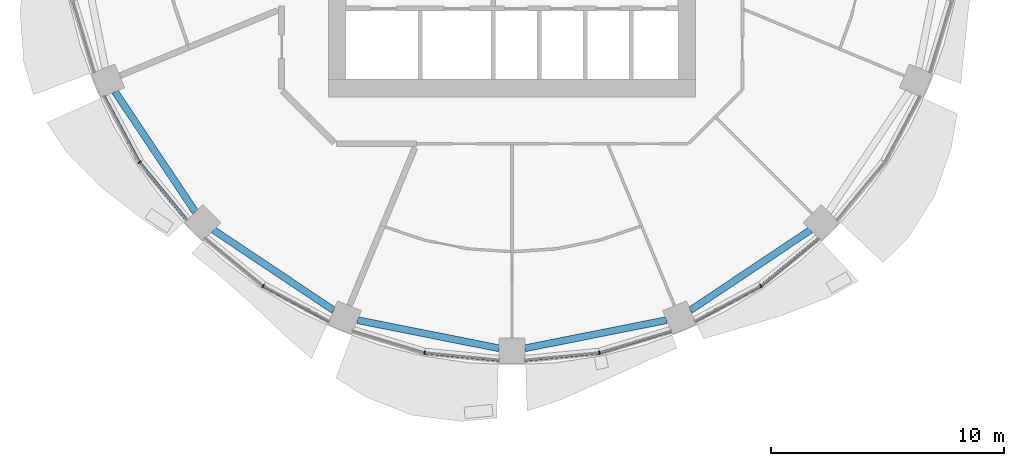
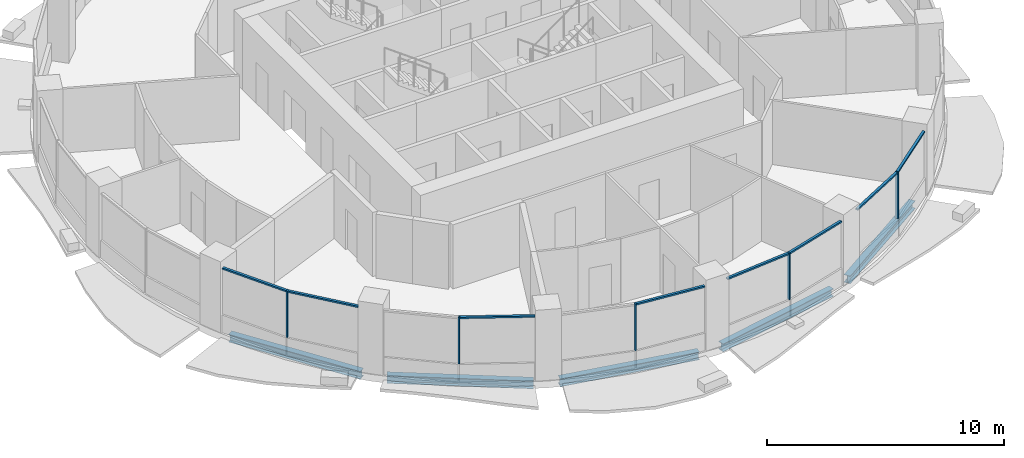
# One storey, part 2 of 14: 13 members, 5 beams, 5 elements without a shape of their own.
"""IFC4 building model written with IfcOpenShell, lengths in metres."""

from ifc_helpers import new_model, si_unit, direction, frame, origin, origin_2d, place, context, subcontext, project, spatial, rectangle, i_section, extrude, material, material_profile, profile_set, type_object, element, aggregate, save


model = new_model("IFC4")

# Units and contexts
model_context = context("Model", 3, precision=1e-05, world=origin(), true_north=direction((0.0, 1.0)))
body_context = subcontext(model_context, "Body", "Model", "MODEL_VIEW")
ifc_project = project(units=[si_unit("LENGTHUNIT", "METRE"), si_unit("AREAUNIT", "SQUARE_METRE"), si_unit("VOLUMEUNIT", "CUBIC_METRE"), si_unit("PLANEANGLEUNIT", "RADIAN"), si_unit("MASSUNIT", "GRAM", prefix="KILO")], contexts=[model_context])

# Site, building, storey
site_placement = place(None, origin())
site = spatial("IfcSite", under=ifc_project, at=site_placement, CompositionType="ELEMENT")
building_placement = place(site_placement, origin())
building = spatial("IfcBuilding", under=site, at=building_placement, Name="Polderwave Tower", CompositionType="ELEMENT")
storey_placement = place(building_placement, frame((0.0, 0.0, 91.0)))
storey = spatial("IfcBuildingStorey", under=building, at=storey_placement, Name="L23", CompositionType="ELEMENT", Elevation=91.0)

# Curtain wall, member
ifc_material_1 = material(Name="Aluminium 6063-T6 and glass", Category="aluminium")
curtain_wall_type = type_object("IfcCurtainWallType", Name="Growing floor ribbon glazing wall", PredefinedType="NOTDEFINED", material=ifc_material_1)
curtain_wall_1_placement = place(storey_placement, origin())
curtain_wall_1 = element("IfcCurtainWall", 1, at=curtain_wall_1_placement, inside=storey, type_object=curtain_wall_type, Name="CW2 L23 09", PredefinedType="NOTDEFINED")
ifc_material_2 = material(Name="Aluminium 6063-T6", Category="aluminium")
ifc_material_profile_1 = material_profile(ifc_material_2, rectangle(XDim=0.14990234375, YDim=0.06005859375, at=origin_2d()), Name="AL 60x150")
ifc_profile_set_1 = profile_set([ifc_material_profile_1], Name="Aluminium 6063-T6")
member_type_1 = type_object("IfcMemberType", Name="Growing floor ribbon glazing mullion 60x150", PredefinedType="MULLION", material=ifc_profile_set_1)
member_1_placement = place(storey_placement, frame((-15.964111328125, -10.6669921875, 0.89990234375), z_axis=(0.0, 0.0, 1.0), x_axis=(0.831444400469, 0.555607963342, 0.0)))
member_1 = element("IfcMember", 2, at=member_1_placement, type_object=member_type_1, Name="CW2 mullion 1", PredefinedType="MULLION", context=body_context, shape_type="SweptSolid", body=[
    extrude(rectangle(XDim=0.14990234375, YDim=0.06005859375, at=origin_2d()), origin(), (0.0, 0.0, 1.0), 2.400146484375),
])

curtain_wall_2_placement = place(storey_placement, origin())
curtain_wall_2 = element("IfcCurtainWall", 3, at=curtain_wall_2_placement, inside=storey, type_object=curtain_wall_type, Name="CW2 L23 10", PredefinedType="NOTDEFINED")
member_2_placement = place(storey_placement, frame((-10.6669921875, -15.964111328125, 0.89990234375), z_axis=(0.0, 0.0, 1.0), x_axis=(0.555607963342, 0.831444400469, 0.0)))
member_2 = element("IfcMember", 4, at=member_2_placement, type_object=member_type_1, Name="CW2 mullion 1", PredefinedType="MULLION", context=body_context, shape_type="SweptSolid", body=[
    extrude(rectangle(XDim=0.14990234375, YDim=0.06005859375, at=origin_2d()), origin(), (0.0, 0.0, 1.0), 2.400146484375),
])

curtain_wall_3_placement = place(storey_placement, origin())
curtain_wall_3 = element("IfcCurtainWall", 5, at=curtain_wall_3_placement, inside=storey, type_object=curtain_wall_type, Name="CW2 L23 11", PredefinedType="NOTDEFINED")
member_3_placement = place(storey_placement, frame((-3.74609375, -18.8310546875, 0.89990234375), z_axis=(0.0, 0.0, 1.0), x_axis=(0.195097169184, 0.980783918392, 0.0)))
member_3 = element("IfcMember", 6, at=member_3_placement, type_object=member_type_1, Name="CW2 mullion 1", PredefinedType="MULLION", context=body_context, shape_type="SweptSolid", body=[
    extrude(rectangle(XDim=0.14990234375, YDim=0.06005859375, at=origin_2d()), origin(), (0.0, 0.0, 1.0), 2.400146484375),
])

curtain_wall_4_placement = place(storey_placement, origin())
curtain_wall_4 = element("IfcCurtainWall", 7, at=curtain_wall_4_placement, inside=storey, type_object=curtain_wall_type, Name="CW2 L23 12", PredefinedType="NOTDEFINED")
member_4_placement = place(storey_placement, frame((3.74609375, -18.8310546875, 0.89990234375), z_axis=(0.0, 0.0, 1.0), x_axis=(-0.195097169184, 0.980783918392, 0.0)))
member_4 = element("IfcMember", 8, at=member_4_placement, type_object=member_type_1, Name="CW2 mullion 1", PredefinedType="MULLION", context=body_context, shape_type="SweptSolid", body=[
    extrude(rectangle(XDim=0.14990234375, YDim=0.06005859375, at=origin_2d()), origin(), (0.0, 0.0, 1.0), 2.400146484375),
])

curtain_wall_5_placement = place(storey_placement, origin())
curtain_wall_5 = element("IfcCurtainWall", 9, at=curtain_wall_5_placement, inside=storey, type_object=curtain_wall_type, Name="CW2 L23 13", PredefinedType="NOTDEFINED")
member_5_placement = place(storey_placement, frame((10.6669921875, -15.964111328125, 0.89990234375), z_axis=(0.0, 0.0, 1.0), x_axis=(-0.555607963342, 0.831444400469, 0.0)))
member_5 = element("IfcMember", 10, at=member_5_placement, type_object=member_type_1, Name="CW2 mullion 1", PredefinedType="MULLION", context=body_context, shape_type="SweptSolid", body=[
    extrude(rectangle(XDim=0.14990234375, YDim=0.06005859375, at=origin_2d()), origin(), (0.0, 0.0, 1.0), 2.400146484375),
])

# Member
ifc_material_profile_2 = material_profile(ifc_material_2, rectangle(XDim=0.1201171875, YDim=0.080078125, at=origin_2d()), Name="AL 80x120")
ifc_profile_set_2 = profile_set([ifc_material_profile_2], Name="Aluminium 6063-T6")
member_type_2 = type_object("IfcMemberType", Name="Growing floor ribbon glazing transom 80x120", PredefinedType="USERDEFINED", material=ifc_profile_set_2)
member_6_placement = place(storey_placement, frame((-17.47802734375, -7.8349609375, 3.260009765625), z_axis=(0.471512085827, -0.881859599323, 0.0), x_axis=(0.881859599323, 0.471512085827, 0.0)))
member_6 = element("IfcMember", 11, at=member_6_placement, type_object=member_type_2, Name="CW2 transom 1", ObjectType="TRANSOM", PredefinedType="USERDEFINED", context=body_context, shape_type="SweptSolid", body=[
    extrude(rectangle(XDim=0.1201171875, YDim=0.080078125, at=origin_2d()), origin(), (0.0, 0.0, 1.0), 3.18115234375),
])

member_7_placement = place(storey_placement, frame((-15.945068359375, -10.690185546875, 3.260009765625), z_axis=(0.634436573251, -0.772974924898, 0.0), x_axis=(0.772974924898, 0.634436573251, 0.0)))
member_7 = element("IfcMember", 12, at=member_7_placement, type_object=member_type_2, Name="CW2 transom 2", ObjectType="TRANSOM", PredefinedType="USERDEFINED", context=body_context, shape_type="SweptSolid", body=[
    extrude(rectangle(XDim=0.1201171875, YDim=0.080078125, at=origin_2d()), origin(), (0.0, 0.0, 1.0), 3.180908203125),
])

aggregate(curtain_wall_1, [member_1, member_6, member_7])

member_8_placement = place(storey_placement, frame((-10.640380859375, -15.97802734375, 3.260009765625), z_axis=(0.881859599323, -0.471512085827, 0.0), x_axis=(0.471512085827, 0.881859599323, 0.0)))
member_8 = element("IfcMember", 13, at=member_8_placement, type_object=member_type_2, Name="CW2 transom 2", ObjectType="TRANSOM", PredefinedType="USERDEFINED", context=body_context, shape_type="SweptSolid", body=[
    extrude(rectangle(XDim=0.1201171875, YDim=0.080078125, at=origin_2d()), origin(), (0.0, 0.0, 1.0), 3.18115234375),
])

aggregate(curtain_wall_2, [member_2, member_8])

member_9_placement = place(storey_placement, frame((-3.716064453125, -18.833984375, 3.260009765625), z_axis=(0.995179009769, -0.098075167681, 0.0), x_axis=(0.098075167681, 0.995179009769, 0.0)))
member_9 = element("IfcMember", 14, at=member_9_placement, type_object=member_type_2, Name="CW2 transom 2", ObjectType="TRANSOM", PredefinedType="USERDEFINED", context=body_context, shape_type="SweptSolid", body=[
    extrude(rectangle(XDim=0.1201171875, YDim=0.080078125, at=origin_2d()), origin(), (0.0, 0.0, 1.0), 3.181396484375),
])

aggregate(curtain_wall_3, [member_3, member_9])

member_10_placement = place(storey_placement, frame((0.550048828125, -19.14599609375, 3.260009765625), z_axis=(0.995179009769, 0.098075167681, 0.0), x_axis=(-0.098075167681, 0.995179009769, 0.0)))
member_10 = element("IfcMember", 15, at=member_10_placement, type_object=member_type_2, Name="CW2 transom 1", ObjectType="TRANSOM", PredefinedType="USERDEFINED", context=body_context, shape_type="SweptSolid", body=[
    extrude(rectangle(XDim=0.1201171875, YDim=0.080078125, at=origin_2d()), origin(), (0.0, 0.0, 1.0), 3.181396484375),
])

member_11_placement = place(storey_placement, frame((3.774658203125, -18.822265625, 3.260009765625), z_axis=(0.95695596309, 0.290233155766, 0.0), x_axis=(-0.290233155766, 0.95695596309, 0.0)))
member_11 = element("IfcMember", 16, at=member_11_placement, type_object=member_type_2, Name="CW2 transom 2", ObjectType="TRANSOM", PredefinedType="USERDEFINED", context=body_context, shape_type="SweptSolid", body=[
    extrude(rectangle(XDim=0.1201171875, YDim=0.080078125, at=origin_2d()), origin(), (0.0, 0.0, 1.0), 3.181396484375),
])

aggregate(curtain_wall_4, [member_4, member_10, member_11])

member_12_placement = place(storey_placement, frame((7.8349609375, -17.47802734375, 3.260009765625), z_axis=(0.881859599323, 0.471512085827, 0.0), x_axis=(-0.471512085827, 0.881859599323, 0.0)))
member_12 = element("IfcMember", 17, at=member_12_placement, type_object=member_type_2, Name="CW2 transom 1", ObjectType="TRANSOM", PredefinedType="USERDEFINED", context=body_context, shape_type="SweptSolid", body=[
    extrude(rectangle(XDim=0.1201171875, YDim=0.080078125, at=origin_2d()), origin(), (0.0, 0.0, 1.0), 3.18115234375),
])

member_13_placement = place(storey_placement, frame((10.690185546875, -15.945068359375, 3.260009765625), z_axis=(0.772974924898, 0.634436573251, 0.0), x_axis=(-0.634436573251, 0.772974924898, 0.0)))
member_13 = element("IfcMember", 18, at=member_13_placement, type_object=member_type_2, Name="CW2 transom 2", ObjectType="TRANSOM", PredefinedType="USERDEFINED", context=body_context, shape_type="SweptSolid", body=[
    extrude(rectangle(XDim=0.1201171875, YDim=0.080078125, at=origin_2d()), origin(), (0.0, 0.0, 1.0), 3.180908203125),
])

aggregate(curtain_wall_5, [member_5, member_12, member_13])

# Beams
ifc_material_3 = material(Name="Steel S355", Category="steel")
ifc_material_profile_3 = material_profile(ifc_material_3, i_section(OverallWidth=0.300048828125, OverallDepth=0.39990234375, WebThickness=0.013427734375, FlangeThickness=0.02392578125, at=origin_2d()), Name="HE 400 B")
ifc_profile_set_3 = profile_set([ifc_material_profile_3], Name="Steel S355")
beam_type = type_object("IfcBeamType", Name="RING BEAM HE 400 B", PredefinedType="BEAM", material=ifc_profile_set_3)
for number, where, z_axis, x_axis, name in (
    (19, (-17.01123046875, -7.6416015625, -0.550048828125), (0.555573051966, -0.831467728736, 0.0), (0.831467728736, 0.555573051966, 0.0), "ST-RB-L23-09"),
    (20, (-12.7919921875, -13.56982421875, -0.550048828125), (0.831467728736, -0.555573051966, 0.0), (0.555573051966, 0.831467728736, 0.0), "ST-RB-L23-10"),
    (21, (-6.625244140625, -17.43212890625, -0.550048828125), (0.980783284471, -0.195100355977, 0.0), (0.195100355977, 0.980783284471, 0.0), "ST-RB-L23-11"),
    (22, (0.550048828125, -18.640625, -0.550048828125), (0.980783284471, 0.195100355977, 0.0), (-0.195100355977, 0.980783284471, 0.0), "ST-RB-L23-12"),
    (23, (7.6416015625, -17.01123046875, -0.550048828125), (0.831467728736, 0.555573051966, 0.0), (-0.555573051966, 0.831467728736, 0.0), "ST-RB-L23-13"),
):
    element("IfcBeam", number, at=place(storey_placement, frame(where, z_axis=z_axis, x_axis=x_axis)), inside=storey, type_object=beam_type, Name=name, PredefinedType="BEAM", context=body_context, shape_type="SweptSolid", body=[
        extrude(i_section(OverallWidth=0.300048828125, OverallDepth=0.39990234375, WebThickness=0.013427734375, FlangeThickness=0.02392578125, at=origin_2d()), origin(), (0.0, 0.0, 1.0), 6.1943359375),
    ])

save(model, "model.ifc")
